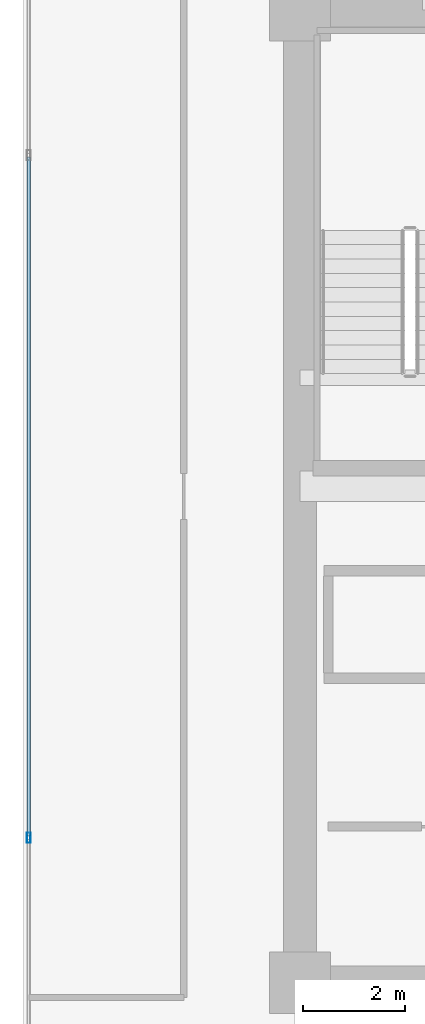
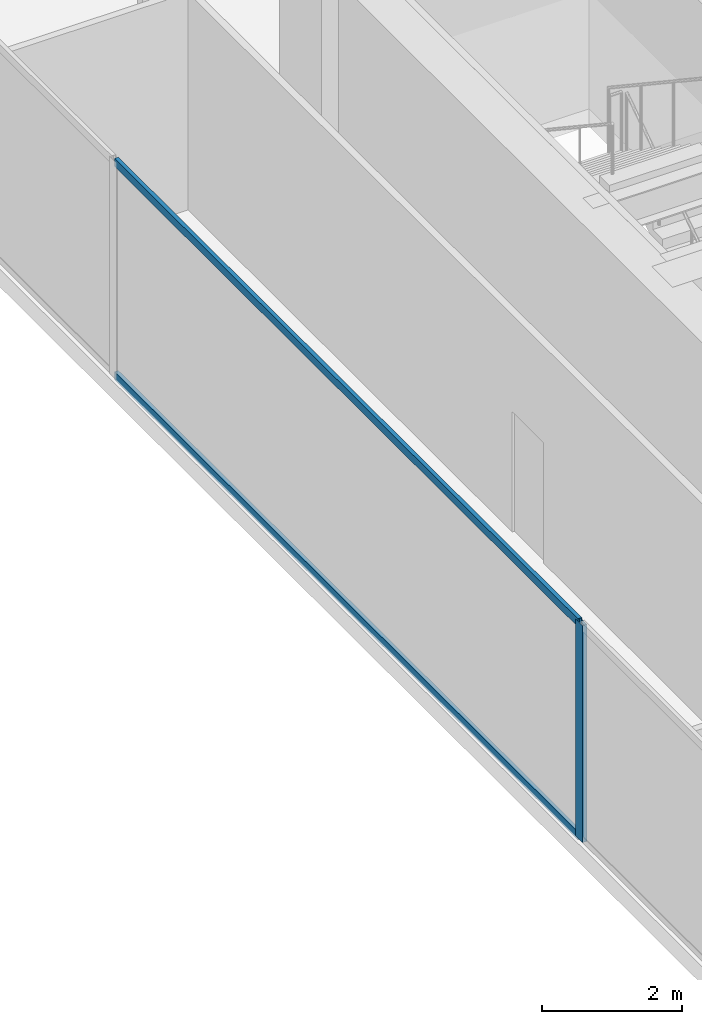
# One storey, part 6 of 30: 3 members, 1 element without a shape of its own.
"""IFC4 building model written with IfcOpenShell, lengths in metres."""

from ifc_helpers import new_model, si_unit, direction, frame, origin, origin_2d, place, context, subcontext, project, spatial, hollow_rectangle, extrude, source, transform, mapped, material, layer, layer_set, material_profile, profile_set, type_object, type_shapes, element, aggregate, save


model = new_model("IFC4")

# Units and contexts
model_context = context("Model", 3, precision=1e-05, world=origin(), true_north=direction((0.0, 1.0)))
body_context = subcontext(model_context, "Body", "Model", "MODEL_VIEW")
ifc_project = project(units=[si_unit("LENGTHUNIT", "METRE"), si_unit("AREAUNIT", "SQUARE_METRE"), si_unit("VOLUMEUNIT", "CUBIC_METRE"), si_unit("PLANEANGLEUNIT", "RADIAN"), si_unit("MASSUNIT", "GRAM", prefix="KILO")], contexts=[model_context])

# Site, building, storey
site_placement = place(None, origin())
site = spatial("IfcSite", under=ifc_project, at=site_placement, CompositionType="ELEMENT")
building_placement = place(site_placement, origin())
building = spatial("IfcBuilding", under=site, at=building_placement, Name="Haelvirn Gate Laboratories", CompositionType="ELEMENT")
storey_placement = place(building_placement, frame((0.0, 0.0, 187.10009765625)))
storey = spatial("IfcBuildingStorey", under=building, at=storey_placement, Name="L45", CompositionType="ELEMENT", Elevation=187.10009765625)

# Curtain wall, members
ifc_material_1 = material(Name="Anodised bronze unitised aluminium & triple low-E glass", Category="aluminium")
ifc_layer = layer(ifc_material_1, 0.179931640625, Name="CW-SYS-3")
ifc_layer_set = layer_set([ifc_layer], Name="Anodised bronze unitised aluminium & triple low-E glass")
curtain_wall_type = type_object("IfcCurtainWallType", Name="CW-SYS-3", PredefinedType="NOTDEFINED", material=ifc_layer_set)
curtain_wall_placement = place(storey_placement, origin())
curtain_wall = element("IfcCurtainWall", 1, at=curtain_wall_placement, inside=storey, type_object=curtain_wall_type, Name="L45 Unitised Curtain Wall CW-L45-P0-E17", PredefinedType="NOTDEFINED")
ifc_material_2 = material(Name="Extruded aluminium 6063-T6 (anodised bronze)", Category="aluminium")
ifc_material_profile_1 = material_profile(ifc_material_2, hollow_rectangle(XDim=0.06494140625, YDim=0.139892578125, WallThickness=0.00390625, at=origin_2d()), Name="CWT-140x65x4")
ifc_profile_set_1 = profile_set([ifc_material_profile_1], Name="Extruded aluminium 6063-T6 (anodised bronze)")
member_type_1 = type_object("IfcMemberType", Name="CWT-T140", PredefinedType="USERDEFINED", material=ifc_profile_set_1)
shared_shape_1 = source(origin(), body_context, "Body", "SweptSolid", [
    extrude(hollow_rectangle(XDim=0.06494140625, YDim=0.139892578125, WallThickness=0.00390625, at=origin_2d()), origin(), (0.0, 0.0, 1.0), 13.25830078125),
])
type_shapes(member_type_1, [shared_shape_1])
member_1_placement = place(storey_placement, frame((2.10009765625, 30.92919921875, 0.032470703125), z_axis=(0.0, -1.0, 0.0), x_axis=(1.0, 0.0, 0.0)))
member_1 = element("IfcMember", 2, at=member_1_placement, type_object=member_type_1, Name="CW3 transom 2.1", ObjectType="TRANSOM", PredefinedType="USERDEFINED", context=body_context, shape_type="MappedRepresentation", body=[
    mapped(shared_shape_1, transform((0.0, 0.0, 0.0), scale=1.0)),
])
member_2_placement = place(storey_placement, frame((2.10009765625, 30.92919921875, 3.75732421875), z_axis=(0.0, -1.0, 0.0), x_axis=(1.0, 0.0, 0.0)))
member_2 = element("IfcMember", 3, at=member_2_placement, type_object=member_type_1, Name="CW3 transom 2.2", ObjectType="TRANSOM", PredefinedType="USERDEFINED", context=body_context, shape_type="MappedRepresentation", body=[
    mapped(shared_shape_1, transform((0.0, 0.0, 0.0), scale=1.0)),
])
ifc_material_profile_2 = material_profile(ifc_material_2, hollow_rectangle(XDim=0.074951171875, YDim=0.199951171875, WallThickness=0.0048828125, at=origin_2d()), Name="CWM-200x75x5")
ifc_profile_set_2 = profile_set([ifc_material_profile_2], Name="Extruded aluminium 6063-T6 (anodised bronze)")
member_type_2 = type_object("IfcMemberType", Name="CWM-T200", PredefinedType="MULLION", material=ifc_profile_set_2)
shared_shape_2 = source(origin(), body_context, "Body", "SweptSolid", [
    extrude(hollow_rectangle(XDim=0.074951171875, YDim=0.199951171875, WallThickness=0.0048828125, at=origin_2d()), origin(), (0.0, 0.0, 1.0), 3.789794921875),
])
type_shapes(member_type_2, [shared_shape_2])
member_3_placement = place(storey_placement, frame((2.10009765625, 17.63330078125, 0.0), z_axis=(0.0, 0.0, 1.0), x_axis=(1.0, 0.0, 0.0)))
member_3 = element("IfcMember", 4, at=member_3_placement, type_object=member_type_2, Name="CW3 mullion 3", PredefinedType="MULLION", context=body_context, shape_type="MappedRepresentation", body=[
    mapped(shared_shape_2, transform((0.0, 0.0, 0.0), scale=1.0)),
])
aggregate(curtain_wall, [member_3, member_1, member_2])

save(model, "model.ifc")
